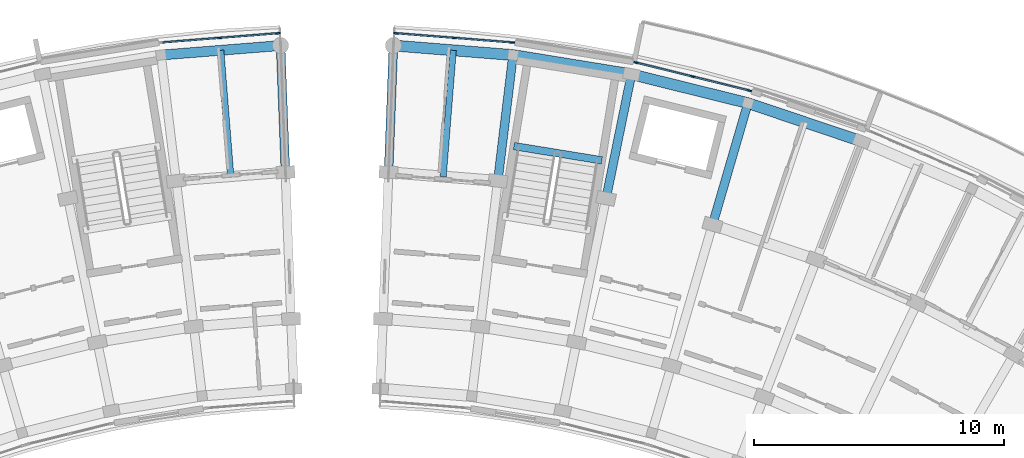
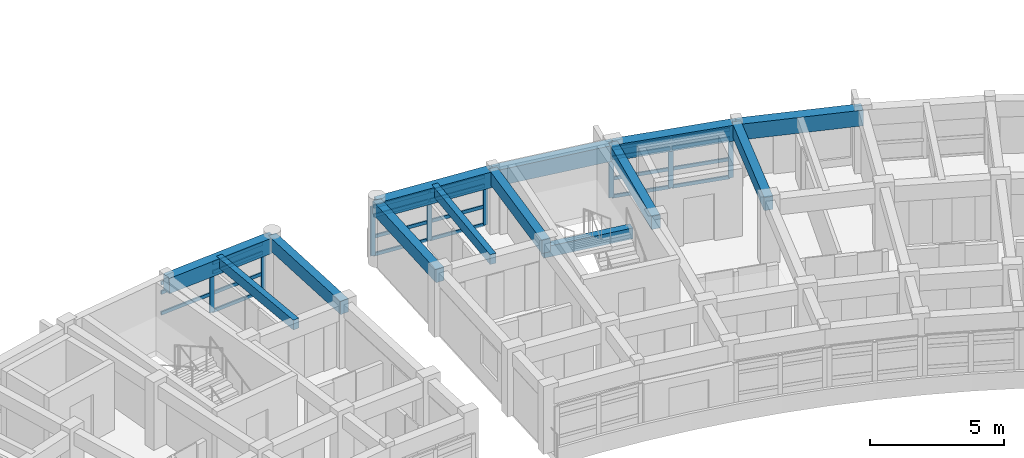
# One storey, part 13 of 50: 31 members, 13 beams, 3 elements without a shape of their own.
"""IFC4 building model written with IfcOpenShell, lengths in metres."""

from ifc_helpers import new_model, si_unit, direction, frame, origin, origin_2d, place, context, subcontext, project, spatial, rectangle, extrude, material, material_profile, profile_set, type_object, element, aggregate, save


model = new_model("IFC4")

# Units and contexts
model_context = context("Model", 3, precision=1e-05, world=origin(), true_north=direction((0.0, 1.0)))
body_context = subcontext(model_context, "Body", "Model", "MODEL_VIEW")
ifc_project = project(units=[si_unit("LENGTHUNIT", "METRE"), si_unit("AREAUNIT", "SQUARE_METRE"), si_unit("VOLUMEUNIT", "CUBIC_METRE"), si_unit("PLANEANGLEUNIT", "RADIAN"), si_unit("MASSUNIT", "GRAM", prefix="KILO")], contexts=[model_context])

# Site, building, storey
site_placement = place(None, origin())
site = spatial("IfcSite", under=ifc_project, at=site_placement, CompositionType="ELEMENT")
building_placement = place(site_placement, origin())
building = spatial("IfcBuilding", under=site, at=building_placement, Name="Zimvara Arc Housing Community", CompositionType="ELEMENT")
storey_placement = place(building_placement, frame((0.0, 0.0, 26.699951171875)))
storey = spatial("IfcBuildingStorey", under=building, at=storey_placement, Name="L08", CompositionType="ELEMENT", Elevation=26.699951171875)

# Beams
ifc_material_1 = material(Name="Concrete C40/50", Category="concrete")
ifc_material_profile_1 = material_profile(ifc_material_1, rectangle(XDim=0.25, YDim=0.449951171875, at=origin_2d()), Name="RC 250x450")
ifc_profile_set_1 = profile_set([ifc_material_profile_1], Name="Concrete C40/50")
beam_type_1 = type_object("IfcBeamType", Name="BM-RC-250x450", PredefinedType="JOIST", material=ifc_profile_set_1)
for number, where, z_axis, x_axis, name in (
    (1, (40.7451171875, 98.08642578125, 2.655029296875), (-0.079171686291, 0.99686099537, 0.0), (-0.99686099537, -0.079171686291, 0.0), "bm:blkA:L08:joist:b9"),
    (2, (49.2548828125, 98.08642578125, 2.655029296875), (0.079171686291, 0.99686099537, 0.0), (-0.99686099537, 0.079171686291, 0.0), "bm:blkB:L08:joist:b0"),
):
    element("IfcBeam", number, at=place(storey_placement, frame(where, z_axis=z_axis, x_axis=x_axis)), inside=storey, type_object=beam_type_1, Name=name, PredefinedType="JOIST", context=body_context, shape_type="SweptSolid", body=[
        extrude(rectangle(XDim=0.25, YDim=0.449951171875, at=origin_2d()), origin(), (0.0, 0.0, 1.0), 5.07568359375),
    ])
ifc_material_2 = material(Name="Concrete C40/50", Category="concrete")
ifc_material_profile_2 = material_profile(ifc_material_2, rectangle(XDim=0.300048828125, YDim=0.5, at=origin_2d()), Name="RC 300x500")
ifc_profile_set_2 = profile_set([ifc_material_profile_2], Name="Concrete C40/50")
beam_type_2 = type_object("IfcBeamType", Name="BM-RC-300x500", PredefinedType="BEAM", material=ifc_profile_set_2)
beam_1_placement = place(storey_placement, frame((55.612060546875, 98.7353515625, 1.300048828125), z_axis=(-0.987080057935, 0.160227835371, 0.0), x_axis=(-0.160227835371, -0.987080057935, 0.0)))
element("IfcBeam", 3, at=beam_1_placement, inside=storey, type_object=beam_type_2, Name="bm:stair_trim:ST-B1:L08:mid", PredefinedType="BEAM", context=body_context, shape_type="SweptSolid", body=[
    extrude(rectangle(XDim=0.300048828125, YDim=0.5, at=origin_2d()), origin(), (0.0, 0.0, 1.0), 3.570068359375),
])
ifc_material_3 = material(Name="Concrete C40/50", Category="concrete")
ifc_material_profile_3 = material_profile(ifc_material_3, rectangle(XDim=0.35009765625, YDim=0.60009765625, at=origin_2d()), Name="RC 350x600")
ifc_profile_set_3 = profile_set([ifc_material_profile_3], Name="Concrete C40/50")
beam_type_3 = type_object("IfcBeamType", Name="BM-RC-350x600", PredefinedType="BEAM", material=ifc_profile_set_3)
for number, where, z_axis, x_axis, name in (
    (4, (42.934814453125, 98.26025390625, 2.580078125), (-0.038398054907, 0.999262522753, 0.0), (-0.999262522753, -0.038398054907, 0.0), "bm:blkA:L08:rad:b10:r23"),
    (5, (47.065185546875, 98.26025390625, 2.580078125), (0.038398054907, 0.999262522753, 0.0), (-0.999262522753, 0.038398054907, 0.0), "bm:blkB:L08:rad:b0:r23"),
    (6, (51.44482421875, 97.91259765625, 2.580078125), (0.119762990499, 0.99280251113, 0.0), (-0.99280251113, 0.119762990499, 0.0), "bm:blkB:L08:rad:b1:r23"),
):
    element("IfcBeam", number, at=place(storey_placement, frame(where, z_axis=z_axis, x_axis=x_axis)), inside=storey, type_object=beam_type_3, Name=name, PredefinedType="BEAM", context=body_context, shape_type="SweptSolid", body=[
        extrude(rectangle(XDim=0.35009765625, YDim=0.60009765625, at=origin_2d()), origin(), (0.0, 0.0, 1.0), 5.080078125),
    ])
for number, where, z_axis, x_axis, name in (
    (7, (55.78125, 97.208740234375, 2.580078125), (0.200411962389, 0.97971171542, 0.0), (-0.97971171542, 0.200411962389, 0.0), "bm:blkB:L08:rad:b2:r23"),
    (8, (60.0458984375, 96.1533203125, 2.580078125), (0.279662254096, 0.960098444762, 0.0), (-0.960098444762, 0.279662254096, 0.0), "bm:blkB:L08:rad:b3:r23"),
):
    element("IfcBeam", number, at=place(storey_placement, frame(where, z_axis=z_axis, x_axis=x_axis)), inside=storey, type_object=beam_type_3, Name=name, PredefinedType="BEAM", context=body_context, shape_type="SweptSolid", body=[
        extrude(rectangle(XDim=0.35009765625, YDim=0.60009765625, at=origin_2d()), origin(), (0.0, 0.0, 1.0), 5.079833984375),
    ])
ifc_material_4 = material(Name="Concrete C40/50", Category="concrete")
ifc_material_profile_4 = material_profile(ifc_material_4, rectangle(XDim=0.39990234375, YDim=0.699951171875, at=origin_2d()), Name="RC 400x700")
ifc_profile_set_4 = profile_set([ifc_material_profile_4], Name="Concrete C40/50")
beam_type_4 = type_object("IfcBeamType", Name="BM-RC-400x700", PredefinedType="BEAM", material=ifc_profile_set_4)
beam_2_placement = place(storey_placement, frame((37.94677734375, 102.9560546875, 2.530029296875), z_axis=(0.996861768207, 0.0791619548, 0.0), x_axis=(-0.0791619548, 0.996861768207, 0.0)))
element("IfcBeam", 9, at=beam_2_placement, inside=storey, type_object=beam_type_4, Name="bm:blkA:L08:chord:r3:b9", PredefinedType="BEAM", context=body_context, shape_type="SweptSolid", body=[
    extrude(rectangle(XDim=0.39990234375, YDim=0.699951171875, at=origin_2d()), origin(), (0.0, 0.0, 1.0), 4.80810546875),
])
ifc_material_5 = material(Name="Concrete C40/50", Category="concrete")
ifc_material_profile_5 = material_profile(ifc_material_5, rectangle(XDim=0.43994140625, YDim=0.719970703125, at=origin_2d()), Name="RC 440x720")
ifc_profile_set_5 = profile_set([ifc_material_profile_5], Name="Concrete C40/50")
beam_type_5 = type_object("IfcBeamType", Name="BM-RC-440x720", PredefinedType="BEAM", material=ifc_profile_set_5)
beam_3_placement = place(storey_placement, frame((47.26025390625, 103.336669921875, 2.52001953125), z_axis=(0.996861768207, -0.0791619548, 0.0), x_axis=(0.0791619548, 0.996861768207, 0.0)))
element("IfcBeam", 10, at=beam_3_placement, inside=storey, type_object=beam_type_5, Name="bm:blkB:L08:chord:r3:b0", PredefinedType="BEAM", context=body_context, shape_type="SweptSolid", body=[
    extrude(rectangle(XDim=0.43994140625, YDim=0.719970703125, at=origin_2d()), origin(), (0.0, 0.0, 1.0), 4.80810546875),
])
beam_4_placement = place(storey_placement, frame((52.05322265625, 102.9560546875, 2.52001953125), z_axis=(0.987076839731, -0.160247659784, 0.0), x_axis=(0.160247659784, 0.987076839731, 0.0)))
element("IfcBeam", 11, at=beam_4_placement, inside=storey, type_object=beam_type_5, Name="bm:blkB:L08:chord:r3:b1", PredefinedType="BEAM", context=body_context, shape_type="SweptSolid", body=[
    extrude(rectangle(XDim=0.43994140625, YDim=0.719970703125, at=origin_2d()), origin(), (0.0, 0.0, 1.0), 4.808349609375),
])
beam_5_placement = place(storey_placement, frame((56.79931640625, 102.185546875, 2.52001953125), z_axis=(0.970716235341, -0.240229037474, 0.0), x_axis=(0.240229037474, 0.970716235341, 0.0)))
element("IfcBeam", 12, at=beam_5_placement, inside=storey, type_object=beam_type_5, Name="bm:blkB:L08:chord:r3:b2", PredefinedType="BEAM", context=body_context, shape_type="SweptSolid", body=[
    extrude(rectangle(XDim=0.43994140625, YDim=0.719970703125, at=origin_2d()), origin(), (0.0, 0.0, 1.0), 4.80810546875),
])
beam_6_placement = place(storey_placement, frame((61.466552734375, 101.030517578125, 2.52001953125), z_axis=(0.947877948153, -0.31863363822, 0.0), x_axis=(0.31863363822, 0.947877948153, 0.0)))
element("IfcBeam", 13, at=beam_6_placement, inside=storey, type_object=beam_type_5, Name="bm:blkB:L08:chord:r3:b3", PredefinedType="BEAM", context=body_context, shape_type="SweptSolid", body=[
    extrude(rectangle(XDim=0.43994140625, YDim=0.719970703125, at=origin_2d()), origin(), (0.0, 0.0, 1.0), 4.807861328125),
])

# Curtain wall, members
ifc_material_6 = material(Name="Anodised Aluminium AW-6063", Category="aluminium")
curtain_wall_type_1 = type_object("IfcCurtainWallType", Name="CW-SYS-01", PredefinedType="USERDEFINED", material=ifc_material_6)
curtain_wall_1_placement = place(storey_placement, origin())
curtain_wall_1 = element("IfcCurtainWall", 14, at=curtain_wall_1_placement, inside=storey, type_object=curtain_wall_type_1, Name="cw:blkA:L08:out:b9", ObjectType="CURTAIN WALL", PredefinedType="USERDEFINED")
ifc_material_7 = material(Name="Anodised Aluminium AW-6063", Category="aluminium")
ifc_material_profile_6 = material_profile(ifc_material_7, rectangle(XDim=0.06494140625, YDim=0.195068359375, at=origin_2d()), Name="ALU 65x195")
ifc_profile_set_6 = profile_set([ifc_material_profile_6], Name="Anodised Aluminium AW-6063")
member_type_1 = type_object("IfcMemberType", Name="CWM-65x180", PredefinedType="MULLION", material=ifc_profile_set_6)
member_1_placement = place(storey_placement, frame((40.3037109375, 103.644287109375, 0.0), z_axis=(0.0, 0.0, 1.0), x_axis=(-0.079153759607, 0.996862418963, 0.0)))
member_1 = element("IfcMember", 15, at=member_1_placement, type_object=member_type_1, Name="CW01 mullion 2", PredefinedType="MULLION", context=body_context, shape_type="SweptSolid", body=[
    extrude(rectangle(XDim=0.06494140625, YDim=0.195068359375, at=origin_2d()), origin(), (0.0, 0.0, 1.0), 2.25),
])
member_2_placement = place(storey_placement, frame((42.62841796875, 103.828857421875, 0.0), z_axis=(0.0, 0.0, 1.0), x_axis=(-0.079153759607, 0.996862418963, 0.0)))
member_2 = element("IfcMember", 16, at=member_2_placement, type_object=member_type_1, Name="CW01 mullion 3", PredefinedType="MULLION", context=body_context, shape_type="SweptSolid", body=[
    extrude(rectangle(XDim=0.06494140625, YDim=0.195068359375, at=origin_2d()), origin(), (0.0, 0.0, 1.0), 2.25),
])

ifc_material_8 = material(Name="Anodised Aluminium AW-6063", Category="aluminium")
curtain_wall_type_2 = type_object("IfcCurtainWallType", Name="CW-SYS-05", PredefinedType="USERDEFINED", material=ifc_material_8)
curtain_wall_2_placement = place(storey_placement, origin())
curtain_wall_2 = element("IfcCurtainWall", 17, at=curtain_wall_2_placement, inside=storey, type_object=curtain_wall_type_2, Name="cw:blkB:L08:out:b0", ObjectType="CURTAIN WALL", PredefinedType="USERDEFINED")
member_3_placement = place(storey_placement, frame((47.37158203125, 103.828857421875, 0.0), z_axis=(0.0, 0.0, 1.0), x_axis=(0.079153759607, 0.996862418963, 0.0)))
member_3 = element("IfcMember", 18, at=member_3_placement, type_object=member_type_1, Name="CW05 mullion 1", PredefinedType="MULLION", context=body_context, shape_type="SweptSolid", body=[
    extrude(rectangle(XDim=0.06494140625, YDim=0.195068359375, at=origin_2d()), origin(), (0.0, 0.0, 1.0), 2.25),
])
member_4_placement = place(storey_placement, frame((49.6962890625, 103.644287109375, 0.0), z_axis=(0.0, 0.0, 1.0), x_axis=(0.079153759607, 0.996862418963, 0.0)))
member_4 = element("IfcMember", 19, at=member_4_placement, type_object=member_type_1, Name="CW05 mullion 2", PredefinedType="MULLION", context=body_context, shape_type="SweptSolid", body=[
    extrude(rectangle(XDim=0.06494140625, YDim=0.195068359375, at=origin_2d()), origin(), (0.0, 0.0, 1.0), 2.25),
])
member_5_placement = place(storey_placement, frame((52.02099609375, 103.459716796875, 0.0), z_axis=(0.0, 0.0, 1.0), x_axis=(0.079153759607, 0.996862418963, 0.0)))
member_5 = element("IfcMember", 20, at=member_5_placement, type_object=member_type_1, Name="CW05 mullion 3", PredefinedType="MULLION", context=body_context, shape_type="SweptSolid", body=[
    extrude(rectangle(XDim=0.06494140625, YDim=0.195068359375, at=origin_2d()), origin(), (0.0, 0.0, 1.0), 2.25),
])

ifc_material_9 = material(Name="Anodised Aluminium AW-6063", Category="aluminium")
curtain_wall_type_3 = type_object("IfcCurtainWallType", Name="CW-SYS-07", PredefinedType="USERDEFINED", material=ifc_material_9)
curtain_wall_3_placement = place(storey_placement, origin())
curtain_wall_3 = element("IfcCurtainWall", 21, at=curtain_wall_3_placement, inside=storey, type_object=curtain_wall_type_3, Name="cw:blkB:L08:out:b2", ObjectType="CURTAIN WALL", PredefinedType="USERDEFINED")
member_6_placement = place(storey_placement, frame((56.9892578125, 102.6533203125, 0.0), z_axis=(0.0, 0.0, 1.0), x_axis=(0.240229711131, 0.970716068627, 0.0)))
member_6 = element("IfcMember", 22, at=member_6_placement, type_object=member_type_1, Name="CW07 mullion 1", PredefinedType="MULLION", context=body_context, shape_type="SweptSolid", body=[
    extrude(rectangle(XDim=0.06494140625, YDim=0.195068359375, at=origin_2d()), origin(), (0.0, 0.0, 1.0), 2.25),
])
member_7_placement = place(storey_placement, frame((59.2529296875, 102.093017578125, 0.0), z_axis=(0.0, 0.0, 1.0), x_axis=(0.240229711131, 0.970716068627, 0.0)))
member_7 = element("IfcMember", 23, at=member_7_placement, type_object=member_type_1, Name="CW07 mullion 2", PredefinedType="MULLION", context=body_context, shape_type="SweptSolid", body=[
    extrude(rectangle(XDim=0.06494140625, YDim=0.195068359375, at=origin_2d()), origin(), (0.0, 0.0, 1.0), 2.25),
])
member_8_placement = place(storey_placement, frame((61.5166015625, 101.532958984375, 0.0), z_axis=(0.0, 0.0, 1.0), x_axis=(0.240229711131, 0.970716068627, 0.0)))
member_8 = element("IfcMember", 24, at=member_8_placement, type_object=member_type_1, Name="CW07 mullion 3", PredefinedType="MULLION", context=body_context, shape_type="SweptSolid", body=[
    extrude(rectangle(XDim=0.06494140625, YDim=0.195068359375, at=origin_2d()), origin(), (0.0, 0.0, 1.0), 2.25),
])

# Member
ifc_material_10 = material(Name="Anodised Aluminium AW-6063", Category="aluminium")
ifc_material_profile_7 = material_profile(ifc_material_10, rectangle(XDim=0.06494140625, YDim=0.155029296875, at=origin_2d()), Name="ALU 65x155")
ifc_profile_set_7 = profile_set([ifc_material_profile_7], Name="Anodised Aluminium AW-6063")
member_type_2 = type_object("IfcMemberType", Name="CWT-65x140", PredefinedType="USERDEFINED", material=ifc_profile_set_7)
member_9_placement = place(storey_placement, frame((38.011474609375, 103.46240234375, 0.85009765625), z_axis=(0.996862021022, 0.079158771116, 0.0), x_axis=(-0.079158771116, 0.996862021022, 0.0)))
member_9 = element("IfcMember", 25, at=member_9_placement, type_object=member_type_2, Name="CW01 transom 1.2", ObjectType="TRANSOM", PredefinedType="USERDEFINED", context=body_context, shape_type="SweptSolid", body=[
    extrude(rectangle(XDim=0.06494140625, YDim=0.155029296875, at=origin_2d()), origin(), (0.0, 0.0, 1.0), 2.266845703125),
])

member_10_placement = place(storey_placement, frame((38.011474609375, 103.46240234375, 1.800048828125), z_axis=(0.996862021022, 0.079158771116, 0.0), x_axis=(-0.079158771116, 0.996862021022, 0.0)))
member_10 = element("IfcMember", 26, at=member_10_placement, type_object=member_type_2, Name="CW01 transom 1.3", ObjectType="TRANSOM", PredefinedType="USERDEFINED", context=body_context, shape_type="SweptSolid", body=[
    extrude(rectangle(XDim=0.06494140625, YDim=0.155029296875, at=origin_2d()), origin(), (0.0, 0.0, 1.0), 2.266845703125),
])

member_11_placement = place(storey_placement, frame((38.011474609375, 103.46240234375, 2.217529296875), z_axis=(0.996862021022, 0.079158771116, 0.0), x_axis=(-0.079158771116, 0.996862021022, 0.0)))
member_11 = element("IfcMember", 27, at=member_11_placement, type_object=member_type_2, Name="CW01 transom 1.4", ObjectType="TRANSOM", PredefinedType="USERDEFINED", context=body_context, shape_type="SweptSolid", body=[
    extrude(rectangle(XDim=0.06494140625, YDim=0.155029296875, at=origin_2d()), origin(), (0.0, 0.0, 1.0), 2.266845703125),
])

member_12_placement = place(storey_placement, frame((40.336181640625, 103.64697265625, 0.032470703125), z_axis=(0.996862021022, 0.079158771116, 0.0), x_axis=(-0.079158771116, 0.996862021022, 0.0)))
member_12 = element("IfcMember", 28, at=member_12_placement, type_object=member_type_2, Name="CW01 transom 2.1", ObjectType="TRANSOM", PredefinedType="USERDEFINED", context=body_context, shape_type="SweptSolid", body=[
    extrude(rectangle(XDim=0.06494140625, YDim=0.155029296875, at=origin_2d()), origin(), (0.0, 0.0, 1.0), 2.266845703125),
])

member_13_placement = place(storey_placement, frame((40.336181640625, 103.64697265625, 0.85009765625), z_axis=(0.996862021022, 0.079158771116, 0.0), x_axis=(-0.079158771116, 0.996862021022, 0.0)))
member_13 = element("IfcMember", 29, at=member_13_placement, type_object=member_type_2, Name="CW01 transom 2.2", ObjectType="TRANSOM", PredefinedType="USERDEFINED", context=body_context, shape_type="SweptSolid", body=[
    extrude(rectangle(XDim=0.06494140625, YDim=0.155029296875, at=origin_2d()), origin(), (0.0, 0.0, 1.0), 2.266845703125),
])

member_14_placement = place(storey_placement, frame((40.336181640625, 103.64697265625, 1.800048828125), z_axis=(0.996862021022, 0.079158771116, 0.0), x_axis=(-0.079158771116, 0.996862021022, 0.0)))
member_14 = element("IfcMember", 30, at=member_14_placement, type_object=member_type_2, Name="CW01 transom 2.3", ObjectType="TRANSOM", PredefinedType="USERDEFINED", context=body_context, shape_type="SweptSolid", body=[
    extrude(rectangle(XDim=0.06494140625, YDim=0.155029296875, at=origin_2d()), origin(), (0.0, 0.0, 1.0), 2.266845703125),
])

member_15_placement = place(storey_placement, frame((40.336181640625, 103.64697265625, 2.217529296875), z_axis=(0.996862021022, 0.079158771116, 0.0), x_axis=(-0.079158771116, 0.996862021022, 0.0)))
member_15 = element("IfcMember", 31, at=member_15_placement, type_object=member_type_2, Name="CW01 transom 2.4", ObjectType="TRANSOM", PredefinedType="USERDEFINED", context=body_context, shape_type="SweptSolid", body=[
    extrude(rectangle(XDim=0.06494140625, YDim=0.155029296875, at=origin_2d()), origin(), (0.0, 0.0, 1.0), 2.266845703125),
])

aggregate(curtain_wall_1, [member_1, member_2, member_9, member_10, member_11, member_12, member_13, member_14, member_15])

member_16_placement = place(storey_placement, frame((47.404052734375, 103.826416015625, 0.032470703125), z_axis=(0.996862021022, -0.079158771116, 0.0), x_axis=(0.079158771116, 0.996862021022, 0.0)))
member_16 = element("IfcMember", 32, at=member_16_placement, type_object=member_type_2, Name="CW05 transom 1.1", ObjectType="TRANSOM", PredefinedType="USERDEFINED", context=body_context, shape_type="SweptSolid", body=[
    extrude(rectangle(XDim=0.06494140625, YDim=0.155029296875, at=origin_2d()), origin(), (0.0, 0.0, 1.0), 2.266845703125),
])

member_17_placement = place(storey_placement, frame((47.404052734375, 103.826416015625, 0.85009765625), z_axis=(0.996862021022, -0.079158771116, 0.0), x_axis=(0.079158771116, 0.996862021022, 0.0)))
member_17 = element("IfcMember", 33, at=member_17_placement, type_object=member_type_2, Name="CW05 transom 1.2", ObjectType="TRANSOM", PredefinedType="USERDEFINED", context=body_context, shape_type="SweptSolid", body=[
    extrude(rectangle(XDim=0.06494140625, YDim=0.155029296875, at=origin_2d()), origin(), (0.0, 0.0, 1.0), 2.266845703125),
])

member_18_placement = place(storey_placement, frame((47.404052734375, 103.826416015625, 1.800048828125), z_axis=(0.996862021022, -0.079158771116, 0.0), x_axis=(0.079158771116, 0.996862021022, 0.0)))
member_18 = element("IfcMember", 34, at=member_18_placement, type_object=member_type_2, Name="CW05 transom 1.3", ObjectType="TRANSOM", PredefinedType="USERDEFINED", context=body_context, shape_type="SweptSolid", body=[
    extrude(rectangle(XDim=0.06494140625, YDim=0.155029296875, at=origin_2d()), origin(), (0.0, 0.0, 1.0), 2.266845703125),
])

member_19_placement = place(storey_placement, frame((47.404052734375, 103.826416015625, 2.217529296875), z_axis=(0.996862021022, -0.079158771116, 0.0), x_axis=(0.079158771116, 0.996862021022, 0.0)))
member_19 = element("IfcMember", 35, at=member_19_placement, type_object=member_type_2, Name="CW05 transom 1.4", ObjectType="TRANSOM", PredefinedType="USERDEFINED", context=body_context, shape_type="SweptSolid", body=[
    extrude(rectangle(XDim=0.06494140625, YDim=0.155029296875, at=origin_2d()), origin(), (0.0, 0.0, 1.0), 2.266845703125),
])

member_20_placement = place(storey_placement, frame((49.728759765625, 103.641845703125, 0.032470703125), z_axis=(0.996862021022, -0.079158771116, 0.0), x_axis=(0.079158771116, 0.996862021022, 0.0)))
member_20 = element("IfcMember", 36, at=member_20_placement, type_object=member_type_2, Name="CW05 transom 2.1", ObjectType="TRANSOM", PredefinedType="USERDEFINED", context=body_context, shape_type="SweptSolid", body=[
    extrude(rectangle(XDim=0.06494140625, YDim=0.155029296875, at=origin_2d()), origin(), (0.0, 0.0, 1.0), 2.266845703125),
])

member_21_placement = place(storey_placement, frame((49.728759765625, 103.641845703125, 0.85009765625), z_axis=(0.996862021022, -0.079158771116, 0.0), x_axis=(0.079158771116, 0.996862021022, 0.0)))
member_21 = element("IfcMember", 37, at=member_21_placement, type_object=member_type_2, Name="CW05 transom 2.2", ObjectType="TRANSOM", PredefinedType="USERDEFINED", context=body_context, shape_type="SweptSolid", body=[
    extrude(rectangle(XDim=0.06494140625, YDim=0.155029296875, at=origin_2d()), origin(), (0.0, 0.0, 1.0), 2.266845703125),
])

member_22_placement = place(storey_placement, frame((49.728759765625, 103.641845703125, 1.800048828125), z_axis=(0.996862021022, -0.079158771116, 0.0), x_axis=(0.079158771116, 0.996862021022, 0.0)))
member_22 = element("IfcMember", 38, at=member_22_placement, type_object=member_type_2, Name="CW05 transom 2.3", ObjectType="TRANSOM", PredefinedType="USERDEFINED", context=body_context, shape_type="SweptSolid", body=[
    extrude(rectangle(XDim=0.06494140625, YDim=0.155029296875, at=origin_2d()), origin(), (0.0, 0.0, 1.0), 2.266845703125),
])

member_23_placement = place(storey_placement, frame((49.728759765625, 103.641845703125, 2.217529296875), z_axis=(0.996862021022, -0.079158771116, 0.0), x_axis=(0.079158771116, 0.996862021022, 0.0)))
member_23 = element("IfcMember", 39, at=member_23_placement, type_object=member_type_2, Name="CW05 transom 2.4", ObjectType="TRANSOM", PredefinedType="USERDEFINED", context=body_context, shape_type="SweptSolid", body=[
    extrude(rectangle(XDim=0.06494140625, YDim=0.155029296875, at=origin_2d()), origin(), (0.0, 0.0, 1.0), 2.266845703125),
])

aggregate(curtain_wall_2, [member_3, member_4, member_5, member_16, member_17, member_18, member_19, member_20, member_21, member_22, member_23])

member_24_placement = place(storey_placement, frame((57.020751953125, 102.6455078125, 0.032470703125), z_axis=(0.970703721793, -0.240279596507, 0.0), x_axis=(0.240279596507, 0.970703721793, 0.0)))
member_24 = element("IfcMember", 40, at=member_24_placement, type_object=member_type_2, Name="CW07 transom 1.1", ObjectType="TRANSOM", PredefinedType="USERDEFINED", context=body_context, shape_type="SweptSolid", body=[
    extrude(rectangle(XDim=0.06494140625, YDim=0.155029296875, at=origin_2d()), origin(), (0.0, 0.0, 1.0), 2.266845703125),
])

member_25_placement = place(storey_placement, frame((57.020751953125, 102.6455078125, 0.85009765625), z_axis=(0.970703721793, -0.240279596507, 0.0), x_axis=(0.240279596507, 0.970703721793, 0.0)))
member_25 = element("IfcMember", 41, at=member_25_placement, type_object=member_type_2, Name="CW07 transom 1.2", ObjectType="TRANSOM", PredefinedType="USERDEFINED", context=body_context, shape_type="SweptSolid", body=[
    extrude(rectangle(XDim=0.06494140625, YDim=0.155029296875, at=origin_2d()), origin(), (0.0, 0.0, 1.0), 2.266845703125),
])

member_26_placement = place(storey_placement, frame((57.020751953125, 102.6455078125, 1.800048828125), z_axis=(0.970703721793, -0.240279596507, 0.0), x_axis=(0.240279596507, 0.970703721793, 0.0)))
member_26 = element("IfcMember", 42, at=member_26_placement, type_object=member_type_2, Name="CW07 transom 1.3", ObjectType="TRANSOM", PredefinedType="USERDEFINED", context=body_context, shape_type="SweptSolid", body=[
    extrude(rectangle(XDim=0.06494140625, YDim=0.155029296875, at=origin_2d()), origin(), (0.0, 0.0, 1.0), 2.266845703125),
])

member_27_placement = place(storey_placement, frame((57.020751953125, 102.6455078125, 2.217529296875), z_axis=(0.970703721793, -0.240279596507, 0.0), x_axis=(0.240279596507, 0.970703721793, 0.0)))
member_27 = element("IfcMember", 43, at=member_27_placement, type_object=member_type_2, Name="CW07 transom 1.4", ObjectType="TRANSOM", PredefinedType="USERDEFINED", context=body_context, shape_type="SweptSolid", body=[
    extrude(rectangle(XDim=0.06494140625, YDim=0.155029296875, at=origin_2d()), origin(), (0.0, 0.0, 1.0), 2.266845703125),
])

member_28_placement = place(storey_placement, frame((59.284423828125, 102.085205078125, 0.032470703125), z_axis=(0.970728837212, -0.240178110172, 0.0), x_axis=(0.240178110172, 0.970728837212, 0.0)))
member_28 = element("IfcMember", 44, at=member_28_placement, type_object=member_type_2, Name="CW07 transom 2.1", ObjectType="TRANSOM", PredefinedType="USERDEFINED", context=body_context, shape_type="SweptSolid", body=[
    extrude(rectangle(XDim=0.06494140625, YDim=0.155029296875, at=origin_2d()), origin(), (0.0, 0.0, 1.0), 2.266845703125),
])

member_29_placement = place(storey_placement, frame((59.284423828125, 102.085205078125, 0.85009765625), z_axis=(0.970728837212, -0.240178110172, 0.0), x_axis=(0.240178110172, 0.970728837212, 0.0)))
member_29 = element("IfcMember", 45, at=member_29_placement, type_object=member_type_2, Name="CW07 transom 2.2", ObjectType="TRANSOM", PredefinedType="USERDEFINED", context=body_context, shape_type="SweptSolid", body=[
    extrude(rectangle(XDim=0.06494140625, YDim=0.155029296875, at=origin_2d()), origin(), (0.0, 0.0, 1.0), 2.266845703125),
])

member_30_placement = place(storey_placement, frame((59.284423828125, 102.085205078125, 1.800048828125), z_axis=(0.970728837212, -0.240178110172, 0.0), x_axis=(0.240178110172, 0.970728837212, 0.0)))
member_30 = element("IfcMember", 46, at=member_30_placement, type_object=member_type_2, Name="CW07 transom 2.3", ObjectType="TRANSOM", PredefinedType="USERDEFINED", context=body_context, shape_type="SweptSolid", body=[
    extrude(rectangle(XDim=0.06494140625, YDim=0.155029296875, at=origin_2d()), origin(), (0.0, 0.0, 1.0), 2.266845703125),
])

member_31_placement = place(storey_placement, frame((59.284423828125, 102.085205078125, 2.217529296875), z_axis=(0.970728837212, -0.240178110172, 0.0), x_axis=(0.240178110172, 0.970728837212, 0.0)))
member_31 = element("IfcMember", 47, at=member_31_placement, type_object=member_type_2, Name="CW07 transom 2.4", ObjectType="TRANSOM", PredefinedType="USERDEFINED", context=body_context, shape_type="SweptSolid", body=[
    extrude(rectangle(XDim=0.06494140625, YDim=0.155029296875, at=origin_2d()), origin(), (0.0, 0.0, 1.0), 2.266845703125),
])

aggregate(curtain_wall_3, [member_6, member_7, member_8, member_24, member_25, member_26, member_27, member_28, member_29, member_30, member_31])

save(model, "model.ifc")
